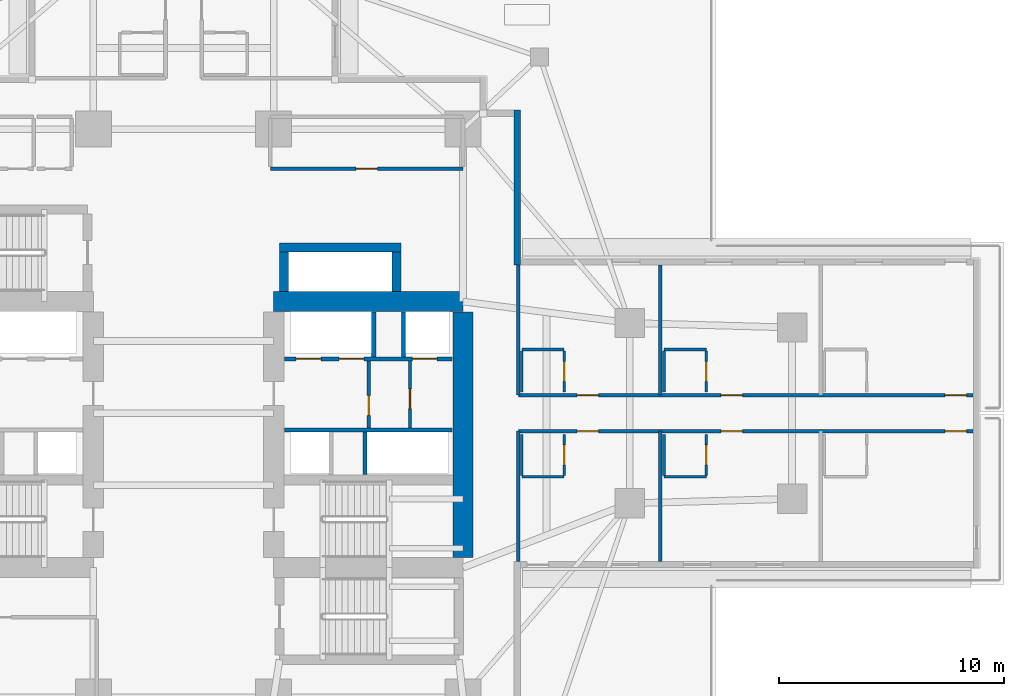
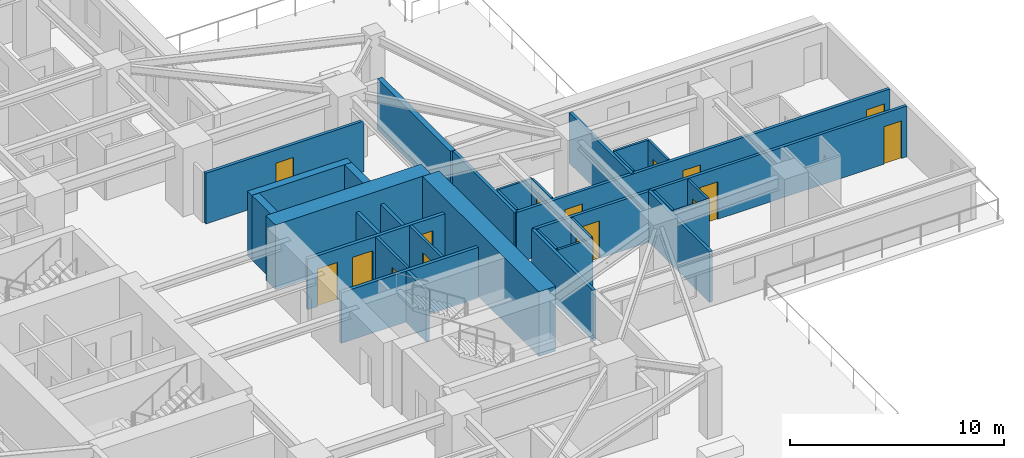
# One storey, part 7 of 15: 32 walls, 16 doors, 16 openings.
"""IFC4 building model written with IfcOpenShell, lengths in metres."""

from ifc_helpers import new_model, si_unit, direction, frame, frame_2d, origin, place, context, subcontext, project, spatial, rectangle, extrude, material, layer, layer_set, type_object, element, fill, save


model = new_model("IFC4")

# Units and contexts
model_context = context("Model", 3, precision=1e-05, world=origin(), true_north=direction((0.0, 1.0)))
body_context = subcontext(model_context, "Body", "Model", "MODEL_VIEW")
ifc_project = project(units=[si_unit("LENGTHUNIT", "METRE"), si_unit("AREAUNIT", "SQUARE_METRE"), si_unit("VOLUMEUNIT", "CUBIC_METRE"), si_unit("PLANEANGLEUNIT", "RADIAN"), si_unit("MASSUNIT", "GRAM", prefix="KILO")], contexts=[model_context])

# Site, building, storey
site_placement = place(None, origin())
site = spatial("IfcSite", under=ifc_project, at=site_placement, CompositionType="ELEMENT")
building_placement = place(site_placement, origin())
building = spatial("IfcBuilding", under=site, at=building_placement, Name="Qingluan Cross Belvedere", CompositionType="ELEMENT")
storey_placement = place(building_placement, frame((0.0, 0.0, 23.699951171875)))
storey = spatial("IfcBuildingStorey", under=building, at=storey_placement, Name="L06", CompositionType="ELEMENT", Elevation=23.699951171875)

# Walls
ifc_material_1 = material(Name="Concrete C50", Category="concrete")
ifc_layer_1 = layer(ifc_material_1, 0.449951171875, Name="CoreShearWall_450")
ifc_layer_set_1 = layer_set([ifc_layer_1], Name="Concrete C50")
wall_type_1 = type_object("IfcWallType", Name="CoreShearWall_450", PredefinedType="SHEAR", material=ifc_layer_set_1)
wall_1_placement = place(storey_placement, frame((4.449951171875, 5.405029296875, 0.0), z_axis=(0.0, 0.0, 1.0), x_axis=(0.0, 1.0, 0.0)))
element("IfcWall", 1, at=wall_1_placement, inside=storey, type_object=wall_type_1, Name="Express shuttle core wall L06-W", PredefinedType="SHEAR", context=body_context, shape_type="SweptSolid", body=[
    extrude(rectangle(XDim=1.73486328125, YDim=0.39990234375, at=frame_2d((0.867431640625, 0.0))), origin(), (0.0, 0.0, 1.0), 3.699951171875),
])
wall_2_placement = place(storey_placement, frame((4.25, 7.35009765625, 0.0), z_axis=(0.0, 0.0, 1.0), x_axis=(1.0, 0.0, 0.0)))
element("IfcWall", 2, at=wall_2_placement, inside=storey, type_object=wall_type_1, Name="Express shuttle core wall L06-N", PredefinedType="SHEAR", context=body_context, shape_type="SweptSolid", body=[
    extrude(rectangle(XDim=5.39990234375, YDim=0.39990234375, at=frame_2d((2.699951171875, 0.0))), origin(), (0.0, 0.0, 1.0), 3.699951171875),
])
wall_3_placement = place(storey_placement, frame((9.449951171875, 5.405029296875, 0.0), z_axis=(0.0, 0.0, 1.0), x_axis=(0.0, 1.0, 0.0)))
element("IfcWall", 3, at=wall_3_placement, inside=storey, type_object=wall_type_1, Name="Express shuttle core wall L06-E", PredefinedType="SHEAR", context=body_context, shape_type="SweptSolid", body=[
    extrude(rectangle(XDim=1.73486328125, YDim=0.39990234375, at=frame_2d((0.867431640625, 0.0))), origin(), (0.0, 0.0, 1.0), 3.699951171875),
])
ifc_material_2 = material(Name="Concrete C70", Category="concrete")
ifc_layer_2 = layer(ifc_material_2, 0.89990234375, Name="CoreShearWall_900")
ifc_layer_set_2 = layer_set([ifc_layer_2], Name="Concrete C70")
wall_type_2 = type_object("IfcWallType", Name="CoreShearWall_900", PredefinedType="SHEAR", material=ifc_layer_set_2)
wall_4_placement = place(storey_placement, frame((4.0, 4.949951171875, 0.0), z_axis=(0.0, 0.0, 1.0), x_axis=(1.0, 0.0, 0.0)))
element("IfcWall", 4, at=wall_4_placement, inside=storey, type_object=wall_type_2, Name="Split core E shear wall L06-N", PredefinedType="SHEAR", context=body_context, shape_type="SweptSolid", body=[
    extrude(rectangle(XDim=8.39990234375, YDim=0.89990234375, at=frame_2d((4.199951171875, 0.0))), origin(), (0.0, 0.0, 1.0), 3.699951171875),
])
wall_5_placement = place(storey_placement, frame((12.39990234375, -6.39501953125, 0.0), z_axis=(0.0, 0.0, 1.0), x_axis=(0.0, 1.0, 0.0)))
element("IfcWall", 5, at=wall_5_placement, inside=storey, type_object=wall_type_2, Name="Split core E shear wall L06-E", PredefinedType="SHEAR", context=body_context, shape_type="SweptSolid", body=[
    extrude(rectangle(XDim=10.89013671875, YDim=0.89990234375, at=frame_2d((5.445068359375, 0.0))), origin(), (0.0, 0.0, 1.0), 3.699951171875),
])

# Wall, opening, door
ifc_material_3 = material(Name="Gypsum plasterboard on steel stud acoustic partition", Category="steel")
ifc_layer_3 = layer(ifc_material_3, 0.159912109375, Name="CorridorPartition_160")
ifc_layer_set_3 = layer_set([ifc_layer_3], Name="Gypsum plasterboard on steel stud acoustic partition")
wall_type_3 = type_object("IfcWallType", Name="CorridorPartition_160", PredefinedType="PARTITIONING", material=ifc_layer_set_3)
wall_6_placement = place(storey_placement, frame((10.050048828125, -0.652099609375, 0.0), z_axis=(0.0, 0.0, 1.0), x_axis=(0.0, 1.0, 0.0)))
wall_6 = element("IfcWall", 6, at=wall_6_placement, inside=storey, type_object=wall_type_3, Name="Partition L06:ev", PredefinedType="PARTITIONING", context=body_context, shape_type="SweptSolid", body=[
    extrude(rectangle(XDim=2.962158203125, YDim=0.139892578125, at=frame_2d((1.48095703125, 0.0))), origin(), (0.0, 0.0, 1.0), 2.900146484375),
])
opening_1_placement = place(wall_6_placement, frame((0.85009765625, 0.0, 0.0)))
opening_1 = element("IfcOpeningElement", 7, at=opening_1_placement, cuts=wall_6, Name="Opening FD-B10", PredefinedType="OPENING", context=body_context, shape_type="SweptSolid", body=[
    extrude(rectangle(XDim=0.8798828125, YDim=2.10009765625, at=frame_2d((0.43994140625, 1.050048828125))), frame((0.0, 0.079833984375, 0.0), z_axis=(0.0, -1.0, 0.0), x_axis=(1.0, 0.0, 0.0)), (0.0, 0.0, 1.0), 0.159912109375),
])
ifc_material_4 = material(Name="Steel Class B service fire door", Category="steel")
door_type_1 = type_object("IfcDoorType", Name="RiserServiceFireDoor_FDB", OperationType="NOTDEFINED", PredefinedType="DOOR", material=ifc_material_4)
door_1_placement = place(opening_1_placement, origin())
door_1 = element("IfcDoor", 8, at=door_1_placement, inside=storey, type_object=door_type_1, Name="Service closet inner door L06", OperationType="SINGLE_SWING_LEFT", OverallHeight=2.10009765625, OverallWidth=0.8798828125, PredefinedType="DOOR", context=body_context, shape_type="SweptSolid", body=[
    extrude(rectangle(XDim=0.8798828125, YDim=2.10009765625, at=frame_2d((0.43994140625, 1.050048828125))), frame((0.0, 0.02490234375, 0.0), z_axis=(0.0, -1.0, 0.0), x_axis=(1.0, 0.0, 0.0)), (0.0, 0.0, 1.0), 0.050048828125),
])
fill(opening_1, door_1)

wall_7_placement = place(storey_placement, frame((3.85009765625, 10.85009765625, 0.0), z_axis=(0.0, 0.0, 1.0), x_axis=(1.0, 0.0, 0.0)))
wall_7 = element("IfcWall", 9, at=wall_7_placement, inside=storey, type_object=wall_type_3, Name="Partition L06:q_ne:S", PredefinedType="PARTITIONING", context=body_context, shape_type="SweptSolid", body=[
    extrude(rectangle(XDim=8.5498046875, YDim=0.159912109375, at=frame_2d((4.27490234375, 0.0))), origin(), (0.0, 0.0, 1.0), 2.900146484375),
])
opening_2_placement = place(wall_7_placement, frame((3.794921875, 0.0, 0.0)))
opening_2 = element("IfcOpeningElement", 10, at=opening_2_placement, cuts=wall_7, Name="Opening GD-10", PredefinedType="OPENING", context=body_context, shape_type="SweptSolid", body=[
    extrude(rectangle(XDim=0.9599609375, YDim=2.14990234375, at=frame_2d((0.47998046875, 1.074951171875))), frame((0.0, 0.08984375, 0.0), z_axis=(0.0, -1.0, 0.0), x_axis=(1.0, 0.0, 0.0)), (0.0, 0.0, 1.0), 0.179931640625),
])
ifc_material_5 = material(Name="Timber oak fire-rated acoustic guestroom door", Category="wood")
door_type_2 = type_object("IfcDoorType", Name="GuestEntryDoor_FD60", OperationType="NOTDEFINED", PredefinedType="DOOR", material=ifc_material_5)
door_2_placement = place(opening_2_placement, origin())
door_2 = element("IfcDoor", 11, at=door_2_placement, inside=storey, type_object=door_type_2, Name="Club reading lounge L06 door", OperationType="SINGLE_SWING_LEFT", OverallHeight=2.14990234375, OverallWidth=0.9599609375, PredefinedType="DOOR", context=body_context, shape_type="SweptSolid", body=[
    extrude(rectangle(XDim=0.9599609375, YDim=2.14990234375, at=frame_2d((0.47998046875, 1.074951171875))), frame((0.0, 0.02490234375, 0.0), z_axis=(0.0, -1.0, 0.0), x_axis=(1.0, 0.0, 0.0)), (0.0, 0.0, 1.0), 0.050048828125),
])
fill(opening_2, door_2)

# Wall, openings, doors
wall_8_placement = place(storey_placement, frame((14.85009765625, 0.800048828125, 0.0), z_axis=(0.0, 0.0, 1.0), x_axis=(1.0, 0.0, 0.0)))
wall_8 = element("IfcWall", 12, at=wall_8_placement, inside=storey, type_object=wall_type_3, Name="Partition L06:E:c0", PredefinedType="PARTITIONING", context=body_context, shape_type="SweptSolid", body=[
    extrude(rectangle(XDim=20.181884765625, YDim=0.159912109375, at=frame_2d((10.0908203125, 0.0))), origin(), (0.0, 0.0, 1.0), 2.900146484375),
])
opening_3_placement = place(wall_8_placement, frame((2.610107421875, 0.0, 0.0)))
opening_3 = element("IfcOpeningElement", 13, at=opening_3_placement, cuts=wall_8, Name="Opening GD-10", PredefinedType="OPENING", context=body_context, shape_type="SweptSolid", body=[
    extrude(rectangle(XDim=0.9599609375, YDim=2.14990234375, at=frame_2d((0.47998046875, 1.074951171875))), frame((0.0, 0.08984375, 0.0), z_axis=(0.0, -1.0, 0.0), x_axis=(1.0, 0.0, 0.0)), (0.0, 0.0, 1.0), 0.179931640625),
])
opening_4_placement = place(wall_8_placement, frame((8.993896484375, 0.0, 0.0)))
opening_4 = element("IfcOpeningElement", 14, at=opening_4_placement, cuts=wall_8, Name="Opening GD-10", PredefinedType="OPENING", context=body_context, shape_type="SweptSolid", body=[
    extrude(rectangle(XDim=0.9599609375, YDim=2.14990234375, at=frame_2d((0.47998046875, 1.074951171875))), frame((0.0, 0.08984375, 0.0), z_axis=(0.0, -1.0, 0.0), x_axis=(1.0, 0.0, 0.0)), (0.0, 0.0, 1.0), 0.179931640625),
])
opening_5_placement = place(wall_8_placement, frame((18.929931640625, 0.0, 0.0)))
opening_5 = element("IfcOpeningElement", 15, at=opening_5_placement, cuts=wall_8, Name="Opening GD-10", PredefinedType="OPENING", context=body_context, shape_type="SweptSolid", body=[
    extrude(rectangle(XDim=0.9599609375, YDim=2.14990234375, at=frame_2d((0.47998046875, 1.074951171875))), frame((0.0, 0.08984375, 0.0), z_axis=(0.0, -1.0, 0.0), x_axis=(1.0, 0.0, 0.0)), (0.0, 0.0, 1.0), 0.179931640625),
])
door_3_placement = place(opening_3_placement, origin())
door_3 = element("IfcDoor", 16, at=door_3_placement, inside=storey, type_object=door_type_2, Name="Guest entry fire door 0601", OperationType="SINGLE_SWING_LEFT", OverallHeight=2.14990234375, OverallWidth=0.9599609375, PredefinedType="DOOR", context=body_context, shape_type="SweptSolid", body=[
    extrude(rectangle(XDim=0.9599609375, YDim=2.14990234375, at=frame_2d((0.47998046875, 1.074951171875))), frame((0.0, 0.02490234375, 0.0), z_axis=(0.0, -1.0, 0.0), x_axis=(1.0, 0.0, 0.0)), (0.0, 0.0, 1.0), 0.050048828125),
])
fill(opening_3, door_3)
door_4_placement = place(opening_4_placement, origin())
door_4 = element("IfcDoor", 17, at=door_4_placement, inside=storey, type_object=door_type_2, Name="Guest entry fire door 0602", OperationType="SINGLE_SWING_LEFT", OverallHeight=2.14990234375, OverallWidth=0.9599609375, PredefinedType="DOOR", context=body_context, shape_type="SweptSolid", body=[
    extrude(rectangle(XDim=0.9599609375, YDim=2.14990234375, at=frame_2d((0.47998046875, 1.074951171875))), frame((0.0, 0.02490234375, 0.0), z_axis=(0.0, -1.0, 0.0), x_axis=(1.0, 0.0, 0.0)), (0.0, 0.0, 1.0), 0.050048828125),
])
fill(opening_4, door_4)
door_5_placement = place(opening_5_placement, origin())
door_5 = element("IfcDoor", 18, at=door_5_placement, inside=storey, type_object=door_type_2, Name="Guest entry fire door 0603", OperationType="SINGLE_SWING_LEFT", OverallHeight=2.14990234375, OverallWidth=0.9599609375, PredefinedType="DOOR", context=body_context, shape_type="SweptSolid", body=[
    extrude(rectangle(XDim=0.9599609375, YDim=2.14990234375, at=frame_2d((0.47998046875, 1.074951171875))), frame((0.0, 0.02490234375, 0.0), z_axis=(0.0, -1.0, 0.0), x_axis=(1.0, 0.0, 0.0)), (0.0, 0.0, 1.0), 0.050048828125),
])
fill(opening_5, door_5)

# Walls
for number, where, z_axis, x_axis, name in (
    (19, (14.85009765625, 0.800048828125, 0.0), (0.0, 0.0, 1.0), (0.0, 1.0, 0.0), "Partition L06:E:s0"),
    (20, (21.152099609375, 0.800048828125, 0.0), (0.0, 0.0, 1.0), (0.0, 1.0, 0.0), "Partition L06:E:d0_0"),
):
    element("IfcWall", number, at=place(storey_placement, frame(where, z_axis=z_axis, x_axis=x_axis)), inside=storey, type_object=wall_type_3, Name=name, PredefinedType="PARTITIONING", context=body_context, shape_type="SweptSolid", body=[
        extrude(rectangle(XDim=5.77197265625, YDim=0.159912109375, at=frame_2d((2.885986328125, 0.0))), origin(), (0.0, 0.0, 1.0), 2.900146484375),
    ])

# Wall, openings, doors
wall_9_placement = place(storey_placement, frame((14.85009765625, -0.800048828125, 0.0), z_axis=(0.0, 0.0, 1.0), x_axis=(1.0, 0.0, 0.0)))
wall_9 = element("IfcWall", 21, at=wall_9_placement, inside=storey, type_object=wall_type_3, Name="Partition L06:E:c1", PredefinedType="PARTITIONING", context=body_context, shape_type="SweptSolid", body=[
    extrude(rectangle(XDim=20.181884765625, YDim=0.159912109375, at=frame_2d((10.0908203125, 0.0))), origin(), (0.0, 0.0, 1.0), 2.900146484375),
])
opening_6_placement = place(wall_9_placement, frame((2.610107421875, 0.0, 0.0)))
opening_6 = element("IfcOpeningElement", 22, at=opening_6_placement, cuts=wall_9, Name="Opening GD-10", PredefinedType="OPENING", context=body_context, shape_type="SweptSolid", body=[
    extrude(rectangle(XDim=0.9599609375, YDim=2.14990234375, at=frame_2d((0.47998046875, 1.074951171875))), frame((0.0, 0.08984375, 0.0), z_axis=(0.0, -1.0, 0.0), x_axis=(1.0, 0.0, 0.0)), (0.0, 0.0, 1.0), 0.179931640625),
])
opening_7_placement = place(wall_9_placement, frame((8.993896484375, 0.0, 0.0)))
opening_7 = element("IfcOpeningElement", 23, at=opening_7_placement, cuts=wall_9, Name="Opening GD-10", PredefinedType="OPENING", context=body_context, shape_type="SweptSolid", body=[
    extrude(rectangle(XDim=0.9599609375, YDim=2.14990234375, at=frame_2d((0.47998046875, 1.074951171875))), frame((0.0, 0.08984375, 0.0), z_axis=(0.0, -1.0, 0.0), x_axis=(1.0, 0.0, 0.0)), (0.0, 0.0, 1.0), 0.179931640625),
])
opening_8_placement = place(wall_9_placement, frame((18.929931640625, 0.0, 0.0)))
opening_8 = element("IfcOpeningElement", 24, at=opening_8_placement, cuts=wall_9, Name="Opening GD-10", PredefinedType="OPENING", context=body_context, shape_type="SweptSolid", body=[
    extrude(rectangle(XDim=0.9599609375, YDim=2.14990234375, at=frame_2d((0.47998046875, 1.074951171875))), frame((0.0, 0.08984375, 0.0), z_axis=(0.0, -1.0, 0.0), x_axis=(1.0, 0.0, 0.0)), (0.0, 0.0, 1.0), 0.179931640625),
])
door_6_placement = place(opening_6_placement, origin())
door_6 = element("IfcDoor", 25, at=door_6_placement, inside=storey, type_object=door_type_2, Name="Guest entry fire door 0604", OperationType="SINGLE_SWING_LEFT", OverallHeight=2.14990234375, OverallWidth=0.9599609375, PredefinedType="DOOR", context=body_context, shape_type="SweptSolid", body=[
    extrude(rectangle(XDim=0.9599609375, YDim=2.14990234375, at=frame_2d((0.47998046875, 1.074951171875))), frame((0.0, 0.02490234375, 0.0), z_axis=(0.0, -1.0, 0.0), x_axis=(1.0, 0.0, 0.0)), (0.0, 0.0, 1.0), 0.050048828125),
])
fill(opening_6, door_6)
door_7_placement = place(opening_7_placement, origin())
door_7 = element("IfcDoor", 26, at=door_7_placement, inside=storey, type_object=door_type_2, Name="Guest entry fire door 0605", OperationType="SINGLE_SWING_LEFT", OverallHeight=2.14990234375, OverallWidth=0.9599609375, PredefinedType="DOOR", context=body_context, shape_type="SweptSolid", body=[
    extrude(rectangle(XDim=0.9599609375, YDim=2.14990234375, at=frame_2d((0.47998046875, 1.074951171875))), frame((0.0, 0.02490234375, 0.0), z_axis=(0.0, -1.0, 0.0), x_axis=(1.0, 0.0, 0.0)), (0.0, 0.0, 1.0), 0.050048828125),
])
fill(opening_7, door_7)
door_8_placement = place(opening_8_placement, origin())
door_8 = element("IfcDoor", 27, at=door_8_placement, inside=storey, type_object=door_type_2, Name="Guest entry fire door 0606", OperationType="SINGLE_SWING_LEFT", OverallHeight=2.14990234375, OverallWidth=0.9599609375, PredefinedType="DOOR", context=body_context, shape_type="SweptSolid", body=[
    extrude(rectangle(XDim=0.9599609375, YDim=2.14990234375, at=frame_2d((0.47998046875, 1.074951171875))), frame((0.0, 0.02490234375, 0.0), z_axis=(0.0, -1.0, 0.0), x_axis=(1.0, 0.0, 0.0)), (0.0, 0.0, 1.0), 0.050048828125),
])
fill(opening_8, door_8)

# Walls
for number, where, z_axis, x_axis, name in (
    (28, (14.85009765625, -0.800048828125, 0.0), (0.0, 0.0, 1.0), (0.0, -1.0, 0.0), "Partition L06:E:s1"),
    (29, (21.152099609375, -0.800048828125, 0.0), (0.0, 0.0, 1.0), (0.0, -1.0, 0.0), "Partition L06:E:d1_0"),
):
    element("IfcWall", number, at=place(storey_placement, frame(where, z_axis=z_axis, x_axis=x_axis)), inside=storey, type_object=wall_type_3, Name=name, PredefinedType="PARTITIONING", context=body_context, shape_type="SweptSolid", body=[
        extrude(rectangle(XDim=5.77197265625, YDim=0.159912109375, at=frame_2d((2.885986328125, 0.0))), origin(), (0.0, 0.0, 1.0), 2.900146484375),
    ])

# Wall, opening, door
ifc_material_6 = material(Name="Moisture-resistant gypsum board lining")
ifc_layer_4 = layer(ifc_material_6, 0.1201171875, Name="EnsuiteWetPartition_120")
ifc_layer_set_4 = layer_set([ifc_layer_4], Name="Moisture-resistant gypsum board lining")
wall_type_4 = type_object("IfcWallType", Name="EnsuiteWetPartition_120", PredefinedType="PARTITIONING", material=ifc_layer_set_4)
wall_10_placement = place(storey_placement, frame((16.889892578125, 0.93994140625, 0.0), z_axis=(0.0, 0.0, 1.0), x_axis=(0.0, 1.0, 0.0)))
wall_10 = element("IfcWall", 30, at=wall_10_placement, inside=storey, type_object=wall_type_4, Name="Partition L06:E:bs0_0", PredefinedType="PARTITIONING", context=body_context, shape_type="SweptSolid", body=[
    extrude(rectangle(XDim=1.820068359375, YDim=0.1201171875, at=frame_2d((0.91015625, 0.0))), origin(), (0.0, 0.0, 1.0), 2.900146484375),
])
opening_9_placement = place(wall_10_placement, frame((0.469970703125, 0.0, 0.0)))
opening_9 = element("IfcOpeningElement", 31, at=opening_9_placement, cuts=wall_10, Name="Opening BD-09", PredefinedType="OPENING", context=body_context, shape_type="SweptSolid", body=[
    extrude(rectangle(XDim=0.8798828125, YDim=2.10009765625, at=frame_2d((0.43994140625, 1.050048828125))), frame((0.0, 0.070068359375, 0.0), z_axis=(0.0, -1.0, 0.0), x_axis=(1.0, 0.0, 0.0)), (0.0, 0.0, 1.0), 0.14013671875),
])
ifc_material_7 = material(Name="Moisture-sealed timber en-suite door", Category="wood")
door_type_3 = type_object("IfcDoorType", Name="BathroomDoor_880", OperationType="NOTDEFINED", PredefinedType="DOOR", material=ifc_material_7)
door_9_placement = place(opening_9_placement, origin())
door_9 = element("IfcDoor", 32, at=door_9_placement, inside=storey, type_object=door_type_3, Name="Bathroom door 0601", OperationType="SINGLE_SWING_RIGHT", OverallHeight=2.10009765625, OverallWidth=0.8798828125, PredefinedType="DOOR", context=body_context, shape_type="SweptSolid", body=[
    extrude(rectangle(XDim=0.8798828125, YDim=2.10009765625, at=frame_2d((0.43994140625, 1.050048828125))), frame((0.0, 0.02490234375, 0.0), z_axis=(0.0, -1.0, 0.0), x_axis=(1.0, 0.0, 0.0)), (0.0, 0.0, 1.0), 0.050048828125),
])
fill(opening_9, door_9)

# Walls
wall_11_placement = place(storey_placement, frame((15.010009765625, 0.93994140625, 0.0), z_axis=(0.0, 0.0, 1.0), x_axis=(0.0, 1.0, 0.0)))
element("IfcWall", 33, at=wall_11_placement, inside=storey, type_object=wall_type_4, Name="Partition L06:E:bw0_0", PredefinedType="PARTITIONING", context=body_context, shape_type="SweptSolid", body=[
    extrude(rectangle(XDim=1.820068359375, YDim=0.1201171875, at=frame_2d((0.91015625, 0.0))), origin(), (0.0, 0.0, 1.0), 2.900146484375),
])
wall_12_placement = place(storey_placement, frame((15.010009765625, 2.824951171875, 0.0), z_axis=(0.0, 0.0, 1.0), x_axis=(1.0, 0.0, 0.0)))
element("IfcWall", 34, at=wall_12_placement, inside=storey, type_object=wall_type_4, Name="Partition L06:E:bn0_0", PredefinedType="PARTITIONING", context=body_context, shape_type="SweptSolid", body=[
    extrude(rectangle(XDim=1.8798828125, YDim=0.1201171875, at=frame_2d((0.93994140625, 0.0))), origin(), (0.0, 0.0, 1.0), 2.900146484375),
])

# Wall, opening, door
wall_13_placement = place(storey_placement, frame((23.19189453125, 0.93994140625, 0.0), z_axis=(0.0, 0.0, 1.0), x_axis=(0.0, 1.0, 0.0)))
wall_13 = element("IfcWall", 35, at=wall_13_placement, inside=storey, type_object=wall_type_4, Name="Partition L06:E:bs0_1", PredefinedType="PARTITIONING", context=body_context, shape_type="SweptSolid", body=[
    extrude(rectangle(XDim=1.820068359375, YDim=0.1201171875, at=frame_2d((0.91015625, 0.0))), origin(), (0.0, 0.0, 1.0), 2.900146484375),
])
opening_10_placement = place(wall_13_placement, frame((0.469970703125, 0.0, 0.0)))
opening_10 = element("IfcOpeningElement", 36, at=opening_10_placement, cuts=wall_13, Name="Opening BD-09", PredefinedType="OPENING", context=body_context, shape_type="SweptSolid", body=[
    extrude(rectangle(XDim=0.8798828125, YDim=2.10009765625, at=frame_2d((0.43994140625, 1.050048828125))), frame((0.0, 0.070068359375, 0.0), z_axis=(0.0, -1.0, 0.0), x_axis=(1.0, 0.0, 0.0)), (0.0, 0.0, 1.0), 0.14013671875),
])
door_10_placement = place(opening_10_placement, origin())
door_10 = element("IfcDoor", 37, at=door_10_placement, inside=storey, type_object=door_type_3, Name="Bathroom door 0602", OperationType="SINGLE_SWING_RIGHT", OverallHeight=2.10009765625, OverallWidth=0.8798828125, PredefinedType="DOOR", context=body_context, shape_type="SweptSolid", body=[
    extrude(rectangle(XDim=0.8798828125, YDim=2.10009765625, at=frame_2d((0.43994140625, 1.050048828125))), frame((0.0, 0.02490234375, 0.0), z_axis=(0.0, -1.0, 0.0), x_axis=(1.0, 0.0, 0.0)), (0.0, 0.0, 1.0), 0.050048828125),
])
fill(opening_10, door_10)

# Walls
wall_14_placement = place(storey_placement, frame((21.31201171875, 0.93994140625, 0.0), z_axis=(0.0, 0.0, 1.0), x_axis=(0.0, 1.0, 0.0)))
element("IfcWall", 38, at=wall_14_placement, inside=storey, type_object=wall_type_4, Name="Partition L06:E:bw0_1", PredefinedType="PARTITIONING", context=body_context, shape_type="SweptSolid", body=[
    extrude(rectangle(XDim=1.820068359375, YDim=0.1201171875, at=frame_2d((0.91015625, 0.0))), origin(), (0.0, 0.0, 1.0), 2.900146484375),
])
wall_15_placement = place(storey_placement, frame((21.31201171875, 2.824951171875, 0.0), z_axis=(0.0, 0.0, 1.0), x_axis=(1.0, 0.0, 0.0)))
element("IfcWall", 39, at=wall_15_placement, inside=storey, type_object=wall_type_4, Name="Partition L06:E:bn0_1", PredefinedType="PARTITIONING", context=body_context, shape_type="SweptSolid", body=[
    extrude(rectangle(XDim=1.8798828125, YDim=0.1201171875, at=frame_2d((0.93994140625, 0.0))), origin(), (0.0, 0.0, 1.0), 2.900146484375),
])

# Wall, opening, door
wall_16_placement = place(storey_placement, frame((16.889892578125, -2.760009765625, 0.0), z_axis=(0.0, 0.0, 1.0), x_axis=(0.0, 1.0, 0.0)))
wall_16 = element("IfcWall", 40, at=wall_16_placement, inside=storey, type_object=wall_type_4, Name="Partition L06:E:bs1_0", PredefinedType="PARTITIONING", context=body_context, shape_type="SweptSolid", body=[
    extrude(rectangle(XDim=1.820068359375, YDim=0.1201171875, at=frame_2d((0.91015625, 0.0))), origin(), (0.0, 0.0, 1.0), 2.900146484375),
])
opening_11_placement = place(wall_16_placement, frame((0.469970703125, 0.0, 0.0)))
opening_11 = element("IfcOpeningElement", 41, at=opening_11_placement, cuts=wall_16, Name="Opening BD-09", PredefinedType="OPENING", context=body_context, shape_type="SweptSolid", body=[
    extrude(rectangle(XDim=0.8798828125, YDim=2.10009765625, at=frame_2d((0.43994140625, 1.050048828125))), frame((0.0, 0.070068359375, 0.0), z_axis=(0.0, -1.0, 0.0), x_axis=(1.0, 0.0, 0.0)), (0.0, 0.0, 1.0), 0.14013671875),
])
door_11_placement = place(opening_11_placement, origin())
door_11 = element("IfcDoor", 42, at=door_11_placement, inside=storey, type_object=door_type_3, Name="Bathroom door 0604", OperationType="SINGLE_SWING_RIGHT", OverallHeight=2.10009765625, OverallWidth=0.8798828125, PredefinedType="DOOR", context=body_context, shape_type="SweptSolid", body=[
    extrude(rectangle(XDim=0.8798828125, YDim=2.10009765625, at=frame_2d((0.43994140625, 1.050048828125))), frame((0.0, 0.02490234375, 0.0), z_axis=(0.0, -1.0, 0.0), x_axis=(1.0, 0.0, 0.0)), (0.0, 0.0, 1.0), 0.050048828125),
])
fill(opening_11, door_11)

# Walls
wall_17_placement = place(storey_placement, frame((15.010009765625, -2.760009765625, 0.0), z_axis=(0.0, 0.0, 1.0), x_axis=(0.0, 1.0, 0.0)))
element("IfcWall", 43, at=wall_17_placement, inside=storey, type_object=wall_type_4, Name="Partition L06:E:bw1_0", PredefinedType="PARTITIONING", context=body_context, shape_type="SweptSolid", body=[
    extrude(rectangle(XDim=1.820068359375, YDim=0.1201171875, at=frame_2d((0.91015625, 0.0))), origin(), (0.0, 0.0, 1.0), 2.900146484375),
])
wall_18_placement = place(storey_placement, frame((15.010009765625, -2.824951171875, 0.0), z_axis=(0.0, 0.0, 1.0), x_axis=(1.0, 0.0, 0.0)))
element("IfcWall", 44, at=wall_18_placement, inside=storey, type_object=wall_type_4, Name="Partition L06:E:bc1_0", PredefinedType="PARTITIONING", context=body_context, shape_type="SweptSolid", body=[
    extrude(rectangle(XDim=1.8798828125, YDim=0.1201171875, at=frame_2d((0.93994140625, 0.0))), origin(), (0.0, 0.0, 1.0), 2.900146484375),
])

# Wall, opening, door
wall_19_placement = place(storey_placement, frame((23.19189453125, -2.760009765625, 0.0), z_axis=(0.0, 0.0, 1.0), x_axis=(0.0, 1.0, 0.0)))
wall_19 = element("IfcWall", 45, at=wall_19_placement, inside=storey, type_object=wall_type_4, Name="Partition L06:E:bs1_1", PredefinedType="PARTITIONING", context=body_context, shape_type="SweptSolid", body=[
    extrude(rectangle(XDim=1.820068359375, YDim=0.1201171875, at=frame_2d((0.91015625, 0.0))), origin(), (0.0, 0.0, 1.0), 2.900146484375),
])
opening_12_placement = place(wall_19_placement, frame((0.469970703125, 0.0, 0.0)))
opening_12 = element("IfcOpeningElement", 46, at=opening_12_placement, cuts=wall_19, Name="Opening BD-09", PredefinedType="OPENING", context=body_context, shape_type="SweptSolid", body=[
    extrude(rectangle(XDim=0.8798828125, YDim=2.10009765625, at=frame_2d((0.43994140625, 1.050048828125))), frame((0.0, 0.070068359375, 0.0), z_axis=(0.0, -1.0, 0.0), x_axis=(1.0, 0.0, 0.0)), (0.0, 0.0, 1.0), 0.14013671875),
])
door_12_placement = place(opening_12_placement, origin())
door_12 = element("IfcDoor", 47, at=door_12_placement, inside=storey, type_object=door_type_3, Name="Bathroom door 0605", OperationType="SINGLE_SWING_RIGHT", OverallHeight=2.10009765625, OverallWidth=0.8798828125, PredefinedType="DOOR", context=body_context, shape_type="SweptSolid", body=[
    extrude(rectangle(XDim=0.8798828125, YDim=2.10009765625, at=frame_2d((0.43994140625, 1.050048828125))), frame((0.0, 0.02490234375, 0.0), z_axis=(0.0, -1.0, 0.0), x_axis=(1.0, 0.0, 0.0)), (0.0, 0.0, 1.0), 0.050048828125),
])
fill(opening_12, door_12)

# Walls
wall_20_placement = place(storey_placement, frame((21.31201171875, -2.760009765625, 0.0), z_axis=(0.0, 0.0, 1.0), x_axis=(0.0, 1.0, 0.0)))
element("IfcWall", 48, at=wall_20_placement, inside=storey, type_object=wall_type_4, Name="Partition L06:E:bw1_1", PredefinedType="PARTITIONING", context=body_context, shape_type="SweptSolid", body=[
    extrude(rectangle(XDim=1.820068359375, YDim=0.1201171875, at=frame_2d((0.91015625, 0.0))), origin(), (0.0, 0.0, 1.0), 2.900146484375),
])
wall_21_placement = place(storey_placement, frame((21.31201171875, -2.824951171875, 0.0), z_axis=(0.0, 0.0, 1.0), x_axis=(1.0, 0.0, 0.0)))
element("IfcWall", 49, at=wall_21_placement, inside=storey, type_object=wall_type_4, Name="Partition L06:E:bc1_1", PredefinedType="PARTITIONING", context=body_context, shape_type="SweptSolid", body=[
    extrude(rectangle(XDim=1.8798828125, YDim=0.1201171875, at=frame_2d((0.93994140625, 0.0))), origin(), (0.0, 0.0, 1.0), 2.900146484375),
])
ifc_material_8 = material(Name="Precast concrete C45", Category="concrete")
ifc_layer_5 = layer(ifc_material_8, 0.280029296875, Name="PrecastFacadeWall_280")
ifc_layer_set_5 = layer_set([ifc_layer_5], Name="Precast concrete C45")
wall_type_5 = type_object("IfcWallType", Name="PrecastFacadeWall_280", PredefinedType="STANDARD", material=ifc_layer_set_5)
wall_22_placement = place(storey_placement, frame((14.800048828125, 6.580078125, 0.0), z_axis=(0.0, 0.0, 1.0), x_axis=(0.0, 1.0, 0.0)))
element("IfcWall", 50, at=wall_22_placement, inside=storey, type_object=wall_type_5, Name="Corner wall L06-NE1", PredefinedType="STANDARD", context=body_context, shape_type="SweptSolid", body=[
    extrude(rectangle(XDim=6.85986328125, YDim=0.280029296875, at=frame_2d((3.429931640625, 0.0))), origin(), (0.0, 0.0, 1.0), 2.91015625),
])

# Wall, openings, doors
ifc_material_9 = material(Name="Concrete C40", Category="concrete")
ifc_layer_6 = layer(ifc_material_9, 0.219970703125, Name="ShaftEnclosureWall_250")
ifc_layer_set_6 = layer_set([ifc_layer_6], Name="Concrete C40")
wall_type_6 = type_object("IfcWallType", Name="ShaftEnclosureWall_250", PredefinedType="SOLIDWALL", material=ifc_layer_set_6)
wall_23_placement = place(storey_placement, frame((4.47998046875, 2.409912109375, 0.0), z_axis=(0.0, 0.0, 1.0), x_axis=(1.0, 0.0, 0.0)))
wall_23 = element("IfcWall", 51, at=wall_23_placement, inside=storey, type_object=wall_type_6, Name="Core-E north hoistway wall L06", PredefinedType="SOLIDWALL", context=body_context, shape_type="SweptSolid", body=[
    extrude(rectangle(XDim=7.419921875, YDim=0.179931640625, at=frame_2d((3.7099609375, 0.0))), origin(), (0.0, 0.0, 1.0), 2.900146484375),
])
opening_13_placement = place(wall_23_placement, frame((5.669921875, 0.0, 0.0)))
opening_13 = element("IfcOpeningElement", 52, at=opening_13_placement, cuts=wall_23, Name="Opening LD-11", PredefinedType="OPENING", context=body_context, shape_type="SweptSolid", body=[
    extrude(rectangle(XDim=1.10009765625, YDim=2.14990234375, at=frame_2d((0.550048828125, 1.074951171875))), frame((0.0, 0.099853515625, 0.0), z_axis=(0.0, -1.0, 0.0), x_axis=(1.0, 0.0, 0.0)), (0.0, 0.0, 1.0), 0.199951171875),
])
opening_14_placement = place(wall_23_placement, frame((0.52001953125, 0.0, 0.0)))
opening_14 = element("IfcOpeningElement", 53, at=opening_14_placement, cuts=wall_23, Name="Opening LD-11", PredefinedType="OPENING", context=body_context, shape_type="SweptSolid", body=[
    extrude(rectangle(XDim=1.10009765625, YDim=2.14990234375, at=frame_2d((0.550048828125, 1.074951171875))), frame((0.0, 0.099853515625, 0.0), z_axis=(0.0, -1.0, 0.0), x_axis=(1.0, 0.0, 0.0)), (0.0, 0.0, 1.0), 0.199951171875),
])
opening_15_placement = place(wall_23_placement, frame((2.419921875, 0.0, 0.0)))
opening_15 = element("IfcOpeningElement", 54, at=opening_15_placement, cuts=wall_23, Name="Opening LD-11", PredefinedType="OPENING", context=body_context, shape_type="SweptSolid", body=[
    extrude(rectangle(XDim=1.10009765625, YDim=2.14990234375, at=frame_2d((0.550048828125, 1.074951171875))), frame((0.0, 0.099853515625, 0.0), z_axis=(0.0, -1.0, 0.0), x_axis=(1.0, 0.0, 0.0)), (0.0, 0.0, 1.0), 0.199951171875),
])
ifc_material_10 = material(Name="Brushed stainless steel centre-opening lift landing door", Category="steel")
door_type_4 = type_object("IfcDoorType", Name="LiftLandingSlidingDoor_1100", OperationType="DOUBLE_DOOR_SLIDING", PredefinedType="DOOR", material=ifc_material_10)
door_13_placement = place(opening_13_placement, origin())
door_13 = element("IfcDoor", 55, at=door_13_placement, inside=storey, type_object=door_type_4, Name="Lift landing sliding door FL2 L06", OperationType="DOUBLE_DOOR_SLIDING", OverallHeight=2.14990234375, OverallWidth=1.10009765625, PredefinedType="DOOR", context=body_context, shape_type="SweptSolid", body=[
    extrude(rectangle(XDim=1.10009765625, YDim=2.14990234375, at=frame_2d((0.550048828125, 1.074951171875))), frame((0.0, 0.02490234375, 0.0), z_axis=(0.0, -1.0, 0.0), x_axis=(1.0, 0.0, 0.0)), (0.0, 0.0, 1.0), 0.050048828125),
])
fill(opening_13, door_13)
door_14_placement = place(opening_14_placement, origin())
door_14 = element("IfcDoor", 56, at=door_14_placement, inside=storey, type_object=door_type_4, Name="Lift landing sliding door LP3 L06", OperationType="DOUBLE_DOOR_SLIDING", OverallHeight=2.14990234375, OverallWidth=1.10009765625, PredefinedType="DOOR", context=body_context, shape_type="SweptSolid", body=[
    extrude(rectangle(XDim=1.10009765625, YDim=2.14990234375, at=frame_2d((0.550048828125, 1.074951171875))), frame((0.0, 0.02490234375, 0.0), z_axis=(0.0, -1.0, 0.0), x_axis=(1.0, 0.0, 0.0)), (0.0, 0.0, 1.0), 0.050048828125),
])
fill(opening_14, door_14)
door_15_placement = place(opening_15_placement, origin())
door_15 = element("IfcDoor", 57, at=door_15_placement, inside=storey, type_object=door_type_4, Name="Lift landing sliding door LP4 L06", OperationType="DOUBLE_DOOR_SLIDING", OverallHeight=2.14990234375, OverallWidth=1.10009765625, PredefinedType="DOOR", context=body_context, shape_type="SweptSolid", body=[
    extrude(rectangle(XDim=1.10009765625, YDim=2.14990234375, at=frame_2d((0.550048828125, 1.074951171875))), frame((0.0, 0.02490234375, 0.0), z_axis=(0.0, -1.0, 0.0), x_axis=(1.0, 0.0, 0.0)), (0.0, 0.0, 1.0), 0.050048828125),
])
fill(opening_15, door_15)

# Walls
wall_24_placement = place(storey_placement, frame((4.47998046875, -0.75, 0.0), z_axis=(0.0, 0.0, 1.0), x_axis=(1.0, 0.0, 0.0)))
element("IfcWall", 58, at=wall_24_placement, inside=storey, type_object=wall_type_6, Name="Core-E mid hoistway wall L06", PredefinedType="SOLIDWALL", context=body_context, shape_type="SweptSolid", body=[
    extrude(rectangle(XDim=7.419921875, YDim=0.179931640625, at=frame_2d((3.7099609375, 0.0))), origin(), (0.0, 0.0, 1.0), 2.900146484375),
])
for number, where, z_axis, x_axis, name in (
    (59, (8.43994140625, 2.5, 0.0), (0.0, 0.0, 1.0), (0.0, 1.0, 0.0), "Hoistway enclosure divider LP4E L06"),
    (60, (9.760009765625, 2.5, 0.0), (0.0, 0.0, 1.0), (0.0, 1.0, 0.0), "Hoistway enclosure divider FL2W L06"),
):
    element("IfcWall", number, at=place(storey_placement, frame(where, z_axis=z_axis, x_axis=x_axis)), inside=storey, type_object=wall_type_6, Name=name, PredefinedType="SOLIDWALL", context=body_context, shape_type="SweptSolid", body=[
        extrude(rectangle(XDim=1.989990234375, YDim=0.179931640625, at=frame_2d((0.9951171875, 0.0))), origin(), (0.0, 0.0, 1.0), 2.900146484375),
    ])
wall_25_placement = place(storey_placement, frame((8.06005859375, -2.72998046875, 0.0), z_axis=(0.0, 0.0, 1.0), x_axis=(0.0, 1.0, 0.0)))
element("IfcWall", 61, at=wall_25_placement, inside=storey, type_object=wall_type_6, Name="Hoistway enclosure divider LP9W L06", PredefinedType="SOLIDWALL", context=body_context, shape_type="SweptSolid", body=[
    extrude(rectangle(XDim=1.889892578125, YDim=0.179931640625, at=frame_2d((0.94482421875, 0.0))), origin(), (0.0, 0.0, 1.0), 2.900146484375),
])

# Wall, opening, door
wall_26_placement = place(storey_placement, frame((8.219970703125, -0.64990234375, 0.0), z_axis=(0.0, 0.0, 1.0), x_axis=(0.0, 1.0, 0.0)))
wall_26 = element("IfcWall", 62, at=wall_26_placement, inside=storey, type_object=wall_type_6, Name="Core-E service corridor wall L06", PredefinedType="SOLIDWALL", context=body_context, shape_type="SweptSolid", body=[
    extrude(rectangle(XDim=2.9599609375, YDim=0.139892578125, at=frame_2d((1.47998046875, 0.0))), origin(), (0.0, 0.0, 1.0), 2.900146484375),
])
opening_16_placement = place(wall_26_placement, frame((0.550048828125, 0.0, 0.0)))
opening_16 = element("IfcOpeningElement", 63, at=opening_16_placement, cuts=wall_26, Name="Opening FD-B10", PredefinedType="OPENING", context=body_context, shape_type="SweptSolid", body=[
    extrude(rectangle(XDim=0.8798828125, YDim=2.10009765625, at=frame_2d((0.43994140625, 1.050048828125))), frame((0.0, 0.079833984375, 0.0), z_axis=(0.0, -1.0, 0.0), x_axis=(1.0, 0.0, 0.0)), (0.0, 0.0, 1.0), 0.159912109375),
])
door_16_placement = place(opening_16_placement, origin())
door_16 = element("IfcDoor", 64, at=door_16_placement, inside=storey, type_object=door_type_1, Name="Core-E service room door L06", OperationType="SINGLE_SWING_LEFT", OverallHeight=2.10009765625, OverallWidth=0.8798828125, PredefinedType="DOOR", context=body_context, shape_type="SweptSolid", body=[
    extrude(rectangle(XDim=0.8798828125, YDim=2.10009765625, at=frame_2d((0.43994140625, 1.050048828125))), frame((0.0, 0.02490234375, 0.0), z_axis=(0.0, -1.0, 0.0), x_axis=(1.0, 0.0, 0.0)), (0.0, 0.0, 1.0), 0.050048828125),
])
fill(opening_16, door_16)

save(model, "model.ifc")
